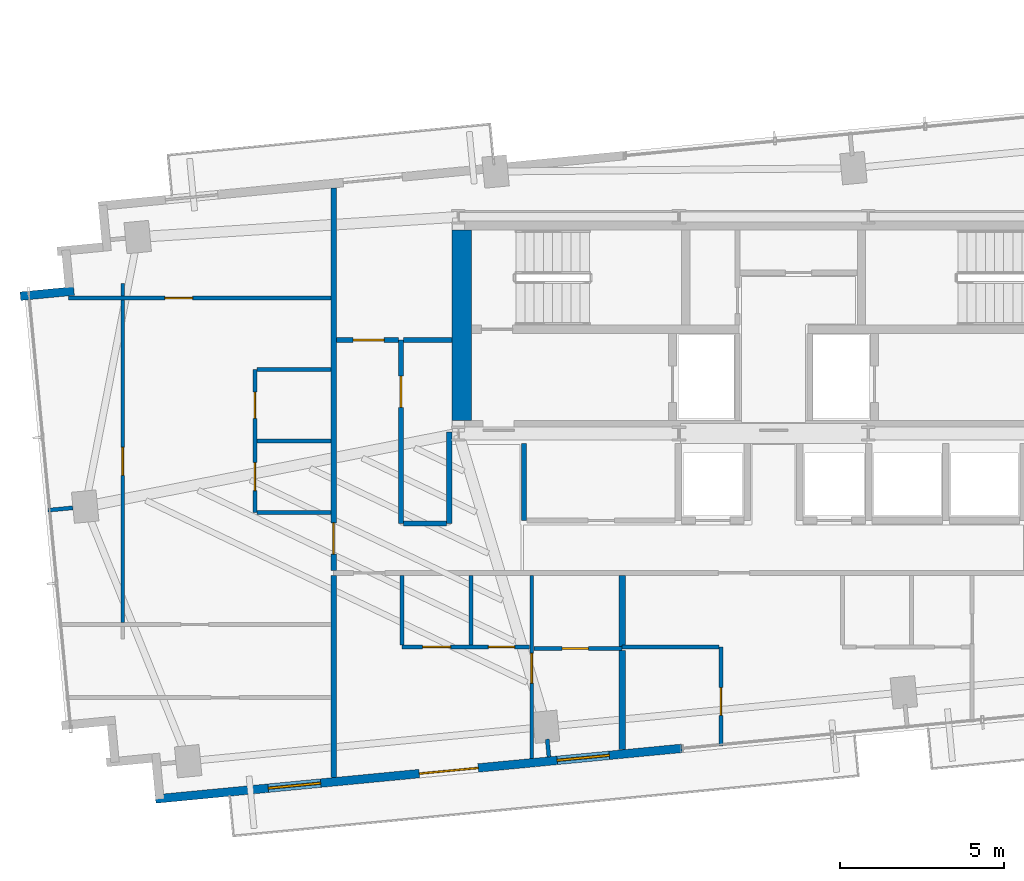
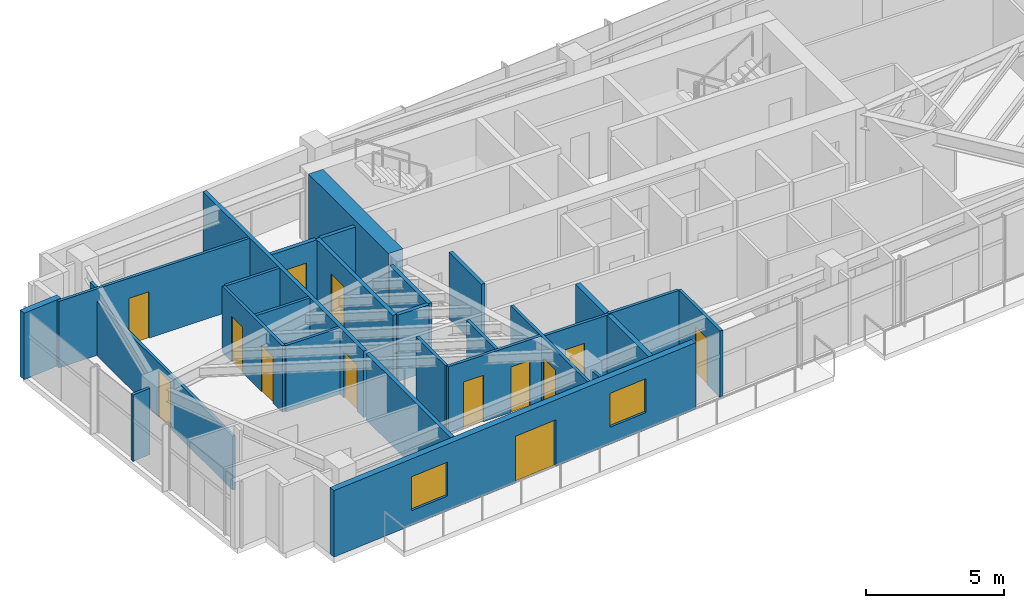
# One storey, part 13 of 18: 29 walls, 13 doors, 2 windows, 15 openings.
"""IFC4 building model written with IfcOpenShell, lengths in metres."""

from ifc_helpers import new_model, si_unit, direction, frame, frame_2d, origin, place, context, subcontext, project, spatial, rectangle, extrude, source, transform, mapped, material, layer, layer_set, type_object, type_shapes, element, fill, save


model = new_model("IFC4")

# Units and contexts
model_context = context("Model", 3, precision=1e-05, world=origin(), true_north=direction((0.0, 1.0)))
body_context = subcontext(model_context, "Body", "Model", "MODEL_VIEW")
ifc_project = project(units=[si_unit("LENGTHUNIT", "METRE"), si_unit("AREAUNIT", "SQUARE_METRE"), si_unit("VOLUMEUNIT", "CUBIC_METRE"), si_unit("PLANEANGLEUNIT", "RADIAN"), si_unit("MASSUNIT", "GRAM", prefix="KILO")], contexts=[model_context])

# Site, building, storey
site_placement = place(None, origin())
site = spatial("IfcSite", under=ifc_project, at=site_placement, CompositionType="ELEMENT")
building_placement = place(site_placement, origin())
building = spatial("IfcBuilding", under=site, at=building_placement, Name="Astriad Promenade Condominiums", CompositionType="ELEMENT")
storey_placement = place(building_placement, frame((0.0, 0.0, 173.0)))
storey = spatial("IfcBuildingStorey", under=building, at=storey_placement, Name="L49", CompositionType="ELEMENT", Elevation=173.0)

# Walls
ifc_material_1 = material(Name="Concrete C50/60", Category="concrete")
ifc_layer_1 = layer(ifc_material_1, 0.60009765625)
ifc_layer_set_1 = layer_set([ifc_layer_1], Name="Concrete C50/60")
wall_type_1 = type_object("IfcWallType", Name="CW-SHEAR-600", PredefinedType="SHEAR", material=ifc_layer_set_1)
wall_1_placement = place(storey_placement, frame((26.5, 17.802001953125, 0.0), z_axis=(0.0, 0.0, 1.0), x_axis=(0.0, 1.0, 0.0)))
element("IfcWall", 1, at=wall_1_placement, inside=storey, type_object=wall_type_1, Name="CW-CORE-W-L49", PredefinedType="SHEAR", context=body_context, shape_type="SweptSolid", body=[
    extrude(rectangle(XDim=5.7958984375, YDim=0.60009765625, at=frame_2d((2.89794921875, 0.0))), origin(), (0.0, 0.0, 1.0), 3.199951171875),
])
ifc_material_2 = material(Name="Fire-Rated Gypsum Partition")
ifc_layer_2 = layer(ifc_material_2, 0.159912109375)
ifc_layer_set_2 = layer_set([ifc_layer_2], Name="Fire-Rated Gypsum Partition")
wall_type_2 = type_object("IfcWallType", Name="WALL-CORR-160", PredefinedType="PARTITIONING", material=ifc_layer_set_2)
wall_2_placement = place(storey_placement, frame((28.39990234375, 14.75, 0.0), z_axis=(0.0, 0.0, 1.0), x_axis=(0.0, 1.0, 0.0)))
element("IfcWall", 2, at=wall_2_placement, inside=storey, type_object=wall_type_2, Name="REC-L-W-L49", PredefinedType="PARTITIONING", context=body_context, shape_type="SweptSolid", body=[
    extrude(rectangle(XDim=2.35009765625, YDim=0.159912109375, at=frame_2d((1.175048828125, 0.0))), origin(), (0.0, 0.0, 1.0), 2.93994140625),
])
wall_3_placement = place(storey_placement, frame((22.60009765625, 6.92236328125, 0.0), z_axis=(0.0, 0.0, 1.0), x_axis=(0.0, 1.0, 0.0)))
element("IfcWall", 3, at=wall_3_placement, inside=storey, type_object=wall_type_2, Name="PT-COR-W-L49", PredefinedType="PARTITIONING", context=body_context, shape_type="SweptSolid", body=[
    extrude(rectangle(XDim=6.145751953125, YDim=0.159912109375, at=frame_2d((3.07275390625, 0.0))), origin(), (0.0, 0.0, 1.0), 2.93994140625),
])

# Wall, opening, door
wall_4_placement = place(storey_placement, frame((22.60009765625, 13.23193359375, 0.0), z_axis=(0.0, 0.0, 1.0), x_axis=(0.0, 1.0, 0.0)))
wall_4 = element("IfcWall", 4, at=wall_4_placement, inside=storey, type_object=wall_type_2, Name="PT-COR-W-L49-S2", PredefinedType="PARTITIONING", context=body_context, shape_type="SweptSolid", body=[
    extrude(rectangle(XDim=11.64892578125, YDim=0.159912109375, at=frame_2d((5.824462890625, 0.0))), origin(), (0.0, 0.0, 1.0), 2.93994140625),
])
opening_1_placement = place(wall_4_placement, frame((0.492919921875, 0.0, 0.0)))
opening_1 = element("IfcOpeningElement", 5, at=opening_1_placement, cuts=wall_4, Name="Opening FD60-APT-095", PredefinedType="OPENING", context=body_context, shape_type="SweptSolid", body=[
    extrude(rectangle(XDim=0.949951171875, YDim=2.06005859375, at=frame_2d((0.47509765625, 1.030029296875))), frame((0.0, 0.08984375, 0.0), z_axis=(0.0, -1.0, 0.0), x_axis=(1.0, 0.0, 0.0)), (0.0, 0.0, 1.0), 0.179931640625),
])
ifc_material_3 = material(Name="Solid-Core Acoustic Timber Residence Entry Door", Category="wood")
door_type_1 = type_object("IfcDoorType", Name="FD60-APT-095", OperationType="NOTDEFINED", PredefinedType="DOOR", material=ifc_material_3)
shared_shape_1 = source(origin(), body_context, "Body", "SweptSolid", [
    extrude(rectangle(XDim=0.949951171875, YDim=2.06005859375, at=frame_2d((0.47509765625, 1.030029296875))), frame((0.0, 0.02490234375, 0.0), z_axis=(0.0, -1.0, 0.0), x_axis=(1.0, 0.0, 0.0)), (0.0, 0.0, 1.0), 0.050048828125),
])
type_shapes(door_type_1, [shared_shape_1])
door_1_placement = place(opening_1_placement, origin())
door_1 = element("IfcDoor", 6, at=door_1_placement, inside=storey, type_object=door_type_1, Name="D-ENT-L49-W1", OperationType="SINGLE_SWING_LEFT", OverallHeight=2.06005859375, OverallWidth=0.949951171875, PredefinedType="DOOR", context=body_context, shape_type="MappedRepresentation", body=[
    mapped(shared_shape_1, transform((0.0, 0.0, 0.0), scale=1.0)),
])
fill(opening_1, door_1)

wall_5_placement = place(storey_placement, frame((24.64990234375, 14.659912109375, 0.0), z_axis=(0.0, 0.0, 1.0), x_axis=(0.0, 1.0, 0.0)))
wall_5 = element("IfcWall", 7, at=wall_5_placement, inside=storey, type_object=wall_type_2, Name="PT-HK-E-L49", PredefinedType="PARTITIONING", context=body_context, shape_type="SweptSolid", body=[
    extrude(rectangle(XDim=5.590087890625, YDim=0.159912109375, at=frame_2d((2.794921875, 0.0))), origin(), (0.0, 0.0, 1.0), 2.93994140625),
])
opening_2_placement = place(wall_5_placement, frame((3.5400390625, 0.0, 0.0)))
opening_2 = element("IfcOpeningElement", 8, at=opening_2_placement, cuts=wall_5, Name="Opening FD60-APT-095", PredefinedType="OPENING", context=body_context, shape_type="SweptSolid", body=[
    extrude(rectangle(XDim=0.949951171875, YDim=2.06005859375, at=frame_2d((0.47509765625, 1.030029296875))), frame((0.0, 0.08984375, 0.0), z_axis=(0.0, -1.0, 0.0), x_axis=(1.0, 0.0, 0.0)), (0.0, 0.0, 1.0), 0.179931640625),
])
door_2_placement = place(opening_2_placement, origin())
door_2 = element("IfcDoor", 9, at=door_2_placement, inside=storey, type_object=door_type_1, Name="D-HKA-L49", OperationType="SINGLE_SWING_LEFT", OverallHeight=2.06005859375, OverallWidth=0.949951171875, PredefinedType="DOOR", context=body_context, shape_type="MappedRepresentation", body=[
    mapped(shared_shape_1, transform((0.0, 0.0, 0.0), scale=1.0)),
])
fill(opening_2, door_2)

wall_6_placement = place(storey_placement, frame((22.681884765625, 20.25, 0.0), z_axis=(0.0, 0.0, 1.0), x_axis=(1.0, 0.0, 0.0)))
wall_6 = element("IfcWall", 10, at=wall_6_placement, inside=storey, type_object=wall_type_2, Name="PT-HK-N-L49", PredefinedType="PARTITIONING", context=body_context, shape_type="SweptSolid", body=[
    extrude(rectangle(XDim=1.88623046875, YDim=0.159912109375, at=frame_2d((0.943115234375, 0.0))), origin(), (0.0, 0.0, 1.0), 2.93994140625),
])
opening_3_placement = place(wall_6_placement, frame((0.508056640625, 0.0, 0.0)))
opening_3 = element("IfcOpeningElement", 11, at=opening_3_placement, cuts=wall_6, Name="Opening FD60-APT-095", PredefinedType="OPENING", context=body_context, shape_type="SweptSolid", body=[
    extrude(rectangle(XDim=0.949951171875, YDim=2.06005859375, at=frame_2d((0.47509765625, 1.030029296875))), frame((0.0, 0.08984375, 0.0), z_axis=(0.0, -1.0, 0.0), x_axis=(1.0, 0.0, 0.0)), (0.0, 0.0, 1.0), 0.179931640625),
])
door_3_placement = place(opening_3_placement, origin())
door_3 = element("IfcDoor", 12, at=door_3_placement, inside=storey, type_object=door_type_1, Name="D-HKB-L49", OperationType="SINGLE_SWING_RIGHT", OverallHeight=2.06005859375, OverallWidth=0.949951171875, PredefinedType="DOOR", context=body_context, shape_type="MappedRepresentation", body=[
    mapped(shared_shape_1, transform((0.0, 0.0, 0.0), scale=1.0)),
])
fill(opening_3, door_3)

# Walls
wall_7_placement = place(storey_placement, frame((24.73193359375, 20.25, 0.0), z_axis=(0.0, 0.0, 1.0), x_axis=(1.0, 0.0, 0.0)))
element("IfcWall", 13, at=wall_7_placement, inside=storey, type_object=wall_type_2, Name="PT-HK-N-L49-S2", PredefinedType="PARTITIONING", context=body_context, shape_type="SweptSolid", body=[
    extrude(rectangle(XDim=1.466064453125, YDim=0.159912109375, at=frame_2d((0.73291015625, 0.0))), origin(), (0.0, 0.0, 1.0), 2.93994140625),
])
wall_8_placement = place(storey_placement, frame((26.1201171875, 14.659912109375, 0.0), z_axis=(0.0, 0.0, 1.0), x_axis=(0.0, 1.0, 0.0)))
element("IfcWall", 14, at=wall_8_placement, inside=storey, type_object=wall_type_2, Name="PT-WSPUR-W-L49", PredefinedType="PARTITIONING", context=body_context, shape_type="SweptSolid", body=[
    extrude(rectangle(XDim=2.7900390625, YDim=0.159912109375, at=frame_2d((1.39501953125, 0.0))), origin(), (0.0, 0.0, 1.0), 2.93994140625),
])
wall_9_placement = place(storey_placement, frame((24.73193359375, 14.659912109375, 0.0), z_axis=(0.0, 0.0, 1.0), x_axis=(1.0, 0.0, 0.0)))
element("IfcWall", 15, at=wall_9_placement, inside=storey, type_object=wall_type_2, Name="PT-HK-S-L49", PredefinedType="PARTITIONING", context=body_context, shape_type="SweptSolid", body=[
    extrude(rectangle(XDim=1.30615234375, YDim=0.159912109375, at=frame_2d((0.653076171875, 0.0))), origin(), (0.0, 0.0, 1.0), 2.93994140625),
])
ifc_material_4 = material(Name="Acoustic Double-Stud Gypsum Partition")
ifc_layer_3 = layer(ifc_material_4, 0.199951171875)
ifc_layer_set_3 = layer_set([ifc_layer_3], Name="Acoustic Double-Stud Gypsum Partition")
wall_type_3 = type_object("IfcWallType", Name="WALL-DEMISING-200", PredefinedType="PARTITIONING", material=ifc_layer_set_3)
wall_10_placement = place(storey_placement, frame((31.384033203125, 7.76806640625, 0.0), z_axis=(0.0, 0.0, 1.0), x_axis=(0.0, 1.0, 0.0)))
element("IfcWall", 16, at=wall_10_placement, inside=storey, type_object=wall_type_3, Name="PT-DEM-S1-L49", PredefinedType="PARTITIONING", context=body_context, shape_type="SweptSolid", body=[
    extrude(rectangle(XDim=3.02001953125, YDim=0.199951171875, at=frame_2d((1.510009765625, 0.0))), origin(), (0.0, 0.0, 1.0), 2.93994140625),
])
wall_11_placement = place(storey_placement, frame((31.384033203125, 10.912109375, 0.0), z_axis=(0.0, 0.0, 1.0), x_axis=(0.0, 1.0, 0.0)))
element("IfcWall", 17, at=wall_11_placement, inside=storey, type_object=wall_type_3, Name="PT-DEM-S1-L49-S2", PredefinedType="PARTITIONING", context=body_context, shape_type="SweptSolid", body=[
    extrude(rectangle(XDim=2.156005859375, YDim=0.199951171875, at=frame_2d((1.078125, 0.0))), origin(), (0.0, 0.0, 1.0), 2.93994140625),
])
ifc_material_5 = material(Name="Precast concrete C50/60", Category="concrete")
ifc_layer_4 = layer(ifc_material_5, 0.260009765625)
ifc_layer_set_4 = layer_set([ifc_layer_4], Name="Precast concrete C50/60")
wall_type_4 = type_object("IfcWallType", Name="WALL-EXT-TWR-260", PredefinedType="STANDARD", material=ifc_layer_set_4)
wall_12_placement = place(storey_placement, frame((13.058349609375, 21.583251953125, 0.0), z_axis=(0.0, 0.0, 1.0), x_axis=(0.995394563142, 0.095862733462, 0.0)))
element("IfcWall", 18, at=wall_12_placement, inside=storey, type_object=wall_type_4, Name="W-SER-L49-04", PredefinedType="STANDARD", context=body_context, shape_type="SweptSolid", body=[
    extrude(rectangle(XDim=1.64013671875, YDim=0.260009765625, at=frame_2d((0.820068359375, 0.0))), origin(), (0.0, 0.0, 1.0), 2.93994140625),
])

# Wall, openings, door, windows
wall_13_placement = place(storey_placement, frame((33.201171875, 7.810302734375, 0.0), z_axis=(0.0, 0.0, 1.0), x_axis=(-0.995397074604, -0.095836652014, 0.0)))
wall_13 = element("IfcWall", 19, at=wall_13_placement, inside=storey, type_object=wall_type_4, Name="W-EXT-L49-S2", PredefinedType="STANDARD", context=body_context, shape_type="SweptSolid", body=[
    extrude(rectangle(XDim=16.10009765625, YDim=0.260009765625, at=frame_2d((8.050048828125, 0.0))), origin(), (0.0, 0.0, 1.0), 2.93994140625),
])
opening_4_placement = place(wall_13_placement, frame((6.22998046875, 0.0, 0.0)))
opening_4 = element("IfcOpeningElement", 20, at=opening_4_placement, cuts=wall_13, Name="Opening BD-1822-SLD", PredefinedType="OPENING", context=body_context, shape_type="SweptSolid", body=[
    extrude(rectangle(XDim=1.800048828125, YDim=2.06005859375, at=frame_2d((0.89990234375, 1.030029296875))), frame((0.0, 0.139892578125, 0.0), z_axis=(0.0, -1.0, 0.0), x_axis=(1.0, 0.0, 0.0)), (0.0, 0.0, 1.0), 0.280029296875),
])
opening_5_placement = place(wall_13_placement, frame((11.050048828125, 0.0, 0.64990234375)))
opening_5 = element("IfcOpeningElement", 21, at=opening_5_placement, cuts=wall_13, Name="Opening WIN-TWR-1620", PredefinedType="OPENING", context=body_context, shape_type="SweptSolid", body=[
    extrude(rectangle(XDim=1.60009765625, YDim=1.5, at=frame_2d((0.800048828125, 0.75))), frame((0.0, 0.139892578125, 0.0), z_axis=(0.0, -1.0, 0.0), x_axis=(1.0, 0.0, 0.0)), (0.0, 0.0, 1.0), 0.280029296875),
])
opening_6_placement = place(wall_13_placement, frame((2.212890625, 0.0, 0.75)))
opening_6 = element("IfcOpeningElement", 22, at=opening_6_placement, cuts=wall_13, Name="Opening WIN-TWR-1620", PredefinedType="OPENING", context=body_context, shape_type="SweptSolid", body=[
    extrude(rectangle(XDim=1.60009765625, YDim=1.5, at=frame_2d((0.800048828125, 0.75))), frame((0.0, 0.139892578125, 0.0), z_axis=(0.0, -1.0, 0.0), x_axis=(1.0, 0.0, 0.0)), (0.0, 0.0, 1.0), 0.280029296875),
])
ifc_material_6 = material(Name="Thermally Broken Aluminium Sliding Balcony Door", Category="aluminium")
door_type_2 = type_object("IfcDoorType", Name="BD-1822-SLD", OperationType="NOTDEFINED", PredefinedType="DOOR", material=ifc_material_6)
shared_shape_2 = source(origin(), body_context, "Body", "SweptSolid", [
    extrude(rectangle(XDim=1.800048828125, YDim=2.06005859375, at=frame_2d((0.89990234375, 1.030029296875))), frame((0.0, 0.02490234375, 0.0), z_axis=(0.0, -1.0, 0.0), x_axis=(1.0, 0.0, 0.0)), (0.0, 0.0, 1.0), 0.050048828125),
])
type_shapes(door_type_2, [shared_shape_2])
door_4_placement = place(opening_4_placement, origin())
door_4 = element("IfcDoor", 23, at=door_4_placement, inside=storey, type_object=door_type_2, Name="BD-L49-SW", OperationType="SLIDING_TO_LEFT", OverallHeight=2.06005859375, OverallWidth=1.800048828125, PredefinedType="DOOR", context=body_context, shape_type="MappedRepresentation", body=[
    mapped(shared_shape_2, transform((0.0, 0.0, 0.0), scale=1.0)),
])
fill(opening_4, door_4)
ifc_material_7 = material(Name="Dark Tinted Triple-Glazed Aluminium Window", Category="aluminium")
window_type = type_object("IfcWindowType", Name="WIN-TWR-1620", PartitioningType="SINGLE_PANEL", PredefinedType="WINDOW", material=ifc_material_7)
shared_shape_3 = source(origin(), body_context, "Body", "SweptSolid", [
    extrude(rectangle(XDim=1.60009765625, YDim=1.5, at=frame_2d((0.800048828125, 0.75))), frame((0.0, 0.030029296875, 0.0), z_axis=(0.0, -1.0, 0.0), x_axis=(1.0, 0.0, 0.0)), (0.0, 0.0, 1.0), 0.06005859375),
])
type_shapes(window_type, [shared_shape_3])
window_1_placement = place(opening_5_placement, origin())
window_1 = element("IfcWindow", 24, at=window_1_placement, inside=storey, type_object=window_type, Name="WIN-L49-SW", OverallHeight=1.5, OverallWidth=1.60009765625, PartitioningType="SINGLE_PANEL", PredefinedType="WINDOW", context=body_context, shape_type="MappedRepresentation", body=[
    mapped(shared_shape_3, transform((0.0, 0.0, 0.0), scale=1.0)),
])
fill(opening_5, window_1)
window_2_placement = place(opening_6_placement, origin())
window_2 = element("IfcWindow", 25, at=window_2_placement, inside=storey, type_object=window_type, Name="WIN-DW-L49-S1-BD1", OverallHeight=1.5, OverallWidth=1.60009765625, PartitioningType="SINGLE_PANEL", PredefinedType="WINDOW", context=body_context, shape_type="MappedRepresentation", body=[
    mapped(shared_shape_3, transform((0.0, 0.0, 0.0), scale=1.0)),
])
fill(opening_6, window_2)

# Wall, opening, door
ifc_material_8 = material(Name="Acoustic Metal-Stud Gypsum Partition")
ifc_layer_5 = layer(ifc_material_8, 0.1201171875)
ifc_layer_set_5 = layer_set([ifc_layer_5], Name="Acoustic Metal-Stud Gypsum Partition")
wall_type_5 = type_object("IfcWallType", Name="WALL-PART-120", PredefinedType="PARTITIONING", material=ifc_layer_set_5)
wall_14_placement = place(storey_placement, frame((28.634033203125, 7.50341796875, 0.0), z_axis=(0.0, 0.0, 1.0), x_axis=(0.0, 1.0, 0.0)))
wall_14 = element("IfcWall", 26, at=wall_14_placement, inside=storey, type_object=wall_type_5, Name="PT-L49-S1-BD1", PredefinedType="PARTITIONING", context=body_context, shape_type="SweptSolid", body=[
    extrude(rectangle(XDim=5.564697265625, YDim=0.1201171875, at=frame_2d((2.7822265625, 0.0))), origin(), (0.0, 0.0, 1.0), 2.93994140625),
])
opening_7_placement = place(wall_14_placement, frame((2.296630859375, 0.0, 0.0)))
opening_7 = element("IfcOpeningElement", 27, at=opening_7_placement, cuts=wall_14, Name="Opening D-INT-090", PredefinedType="OPENING", context=body_context, shape_type="SweptSolid", body=[
    extrude(rectangle(XDim=0.89990234375, YDim=2.050048828125, at=frame_2d((0.449951171875, 1.02490234375))), frame((0.0, 0.070068359375, 0.0), z_axis=(0.0, -1.0, 0.0), x_axis=(1.0, 0.0, 0.0)), (0.0, 0.0, 1.0), 0.14013671875),
])
ifc_material_9 = material(Name="Painted Solid-Core Timber Bedroom Door", Category="wood")
door_type_3 = type_object("IfcDoorType", Name="D-INT-090", OperationType="NOTDEFINED", PredefinedType="DOOR", material=ifc_material_9)
shared_shape_4 = source(origin(), body_context, "Body", "SweptSolid", [
    extrude(rectangle(XDim=0.89990234375, YDim=2.050048828125, at=frame_2d((0.449951171875, 1.02490234375))), frame((0.0, 0.02490234375, 0.0), z_axis=(0.0, -1.0, 0.0), x_axis=(1.0, 0.0, 0.0)), (0.0, 0.0, 1.0), 0.050048828125),
])
type_shapes(door_type_3, [shared_shape_4])
door_5_placement = place(opening_7_placement, origin())
door_5 = element("IfcDoor", 28, at=door_5_placement, inside=storey, type_object=door_type_3, Name="D-BD1-L49-S1", OperationType="SINGLE_SWING_LEFT", OverallHeight=2.050048828125, OverallWidth=0.89990234375, PredefinedType="DOOR", context=body_context, shape_type="MappedRepresentation", body=[
    mapped(shared_shape_4, transform((0.0, 0.0, 0.0), scale=1.0)),
])
fill(opening_7, door_5)

# Wall, openings, doors
wall_15_placement = place(storey_placement, frame((24.68408203125, 10.89990234375, 0.0), z_axis=(0.0, 0.0, 1.0), x_axis=(1.0, 0.0, 0.0)))
wall_15 = element("IfcWall", 29, at=wall_15_placement, inside=storey, type_object=wall_type_5, Name="PT-L49-S1-PS", PredefinedType="PARTITIONING", context=body_context, shape_type="SweptSolid", body=[
    extrude(rectangle(XDim=3.887939453125, YDim=0.1201171875, at=frame_2d((1.94384765625, 0.0))), origin(), (0.0, 0.0, 1.0), 2.93994140625),
])
opening_8_placement = place(wall_15_placement, frame((0.625, 0.0, 0.0)))
opening_8 = element("IfcOpeningElement", 30, at=opening_8_placement, cuts=wall_15, Name="Opening D-INT-085", PredefinedType="OPENING", context=body_context, shape_type="SweptSolid", body=[
    extrude(rectangle(XDim=0.85009765625, YDim=2.050048828125, at=frame_2d((0.425048828125, 1.02490234375))), frame((0.0, 0.070068359375, 0.0), z_axis=(0.0, -1.0, 0.0), x_axis=(1.0, 0.0, 0.0)), (0.0, 0.0, 1.0), 0.14013671875),
])
opening_9_placement = place(wall_15_placement, frame((2.625, 0.0, 0.0)))
opening_9 = element("IfcOpeningElement", 31, at=opening_9_placement, cuts=wall_15, Name="Opening D-WET-080", PredefinedType="OPENING", context=body_context, shape_type="SweptSolid", body=[
    extrude(rectangle(XDim=0.800048828125, YDim=2.02001953125, at=frame_2d((0.39990234375, 1.010009765625))), frame((0.0, 0.070068359375, 0.0), z_axis=(0.0, -1.0, 0.0), x_axis=(1.0, 0.0, 0.0)), (0.0, 0.0, 1.0), 0.14013671875),
])
ifc_material_10 = material(Name="Moisture-Resistant Timber Bathroom Door", Category="wood")
door_type_4 = type_object("IfcDoorType", Name="D-WET-080", OperationType="NOTDEFINED", PredefinedType="DOOR", material=ifc_material_10)
shared_shape_5 = source(origin(), body_context, "Body", "SweptSolid", [
    extrude(rectangle(XDim=0.800048828125, YDim=2.02001953125, at=frame_2d((0.39990234375, 1.010009765625))), frame((0.0, 0.02490234375, 0.0), z_axis=(0.0, -1.0, 0.0), x_axis=(1.0, 0.0, 0.0)), (0.0, 0.0, 1.0), 0.050048828125),
])
type_shapes(door_type_4, [shared_shape_5])
door_6_placement = place(opening_9_placement, origin())
door_6 = element("IfcDoor", 32, at=door_6_placement, inside=storey, type_object=door_type_4, Name="D-BTH-L49-S1", OperationType="SINGLE_SWING_LEFT", OverallHeight=2.02001953125, OverallWidth=0.800048828125, PredefinedType="DOOR", context=body_context, shape_type="MappedRepresentation", body=[
    mapped(shared_shape_5, transform((0.0, 0.0, 0.0), scale=1.0)),
])
fill(opening_9, door_6)
ifc_material_11 = material(Name="Painted Solid-Core Timber Room Door", Category="wood")
door_type_5 = type_object("IfcDoorType", Name="D-INT-085", OperationType="NOTDEFINED", PredefinedType="DOOR", material=ifc_material_11)
shared_shape_6 = source(origin(), body_context, "Body", "SweptSolid", [
    extrude(rectangle(XDim=0.85009765625, YDim=2.050048828125, at=frame_2d((0.425048828125, 1.02490234375))), frame((0.0, 0.02490234375, 0.0), z_axis=(0.0, -1.0, 0.0), x_axis=(1.0, 0.0, 0.0)), (0.0, 0.0, 1.0), 0.050048828125),
])
type_shapes(door_type_5, [shared_shape_6])
door_7_placement = place(opening_8_placement, origin())
door_7 = element("IfcDoor", 33, at=door_7_placement, inside=storey, type_object=door_type_5, Name="D-KIT-L49-S1", OperationType="SINGLE_SWING_RIGHT", OverallHeight=2.050048828125, OverallWidth=0.85009765625, PredefinedType="DOOR", context=body_context, shape_type="MappedRepresentation", body=[
    mapped(shared_shape_6, transform((0.0, 0.0, 0.0), scale=1.0)),
])
fill(opening_8, door_7)

# Walls
for number, where, z_axis, x_axis, name in (
    (34, (26.783935546875, 10.9619140625, 0.0), (0.0, 0.0, 1.0), (0.0, 1.0, 0.0), "PT-L49-S1-PBK"),
    (35, (24.68408203125, 10.9619140625, 0.0), (0.0, 0.0, 1.0), (0.0, 1.0, 0.0), "PT-L49-S1-PKW"),
):
    element("IfcWall", number, at=place(storey_placement, frame(where, z_axis=z_axis, x_axis=x_axis)), inside=storey, type_object=wall_type_5, Name=name, PredefinedType="PARTITIONING", context=body_context, shape_type="SweptSolid", body=[
        extrude(rectangle(XDim=2.106201171875, YDim=0.1201171875, at=frame_2d((1.05322265625, 0.0))), origin(), (0.0, 0.0, 1.0), 2.93994140625),
    ])

# Wall, opening, door
wall_16_placement = place(storey_placement, frame((28.696044921875, 10.85009765625, 0.0), z_axis=(0.0, 0.0, 1.0), x_axis=(1.0, 0.0, 0.0)))
wall_16 = element("IfcWall", 36, at=wall_16_placement, inside=storey, type_object=wall_type_5, Name="PT-L49-S1-ENS", PredefinedType="PARTITIONING", context=body_context, shape_type="SweptSolid", body=[
    extrude(rectangle(XDim=2.68798828125, YDim=0.1201171875, at=frame_2d((1.343994140625, 0.0))), origin(), (0.0, 0.0, 1.0), 2.93994140625),
])
opening_10_placement = place(wall_16_placement, frame((0.863037109375, 0.0, 0.0)))
opening_10 = element("IfcOpeningElement", 37, at=opening_10_placement, cuts=wall_16, Name="Opening D-WET-080", PredefinedType="OPENING", context=body_context, shape_type="SweptSolid", body=[
    extrude(rectangle(XDim=0.800048828125, YDim=2.02001953125, at=frame_2d((0.39990234375, 1.010009765625))), frame((0.0, 0.070068359375, 0.0), z_axis=(0.0, -1.0, 0.0), x_axis=(1.0, 0.0, 0.0)), (0.0, 0.0, 1.0), 0.14013671875),
])
door_8_placement = place(opening_10_placement, origin())
door_8 = element("IfcDoor", 38, at=door_8_placement, inside=storey, type_object=door_type_4, Name="D-ENS-L49-S1", OperationType="SINGLE_SWING_LEFT", OverallHeight=2.02001953125, OverallWidth=0.800048828125, PredefinedType="DOOR", context=body_context, shape_type="MappedRepresentation", body=[
    mapped(shared_shape_5, transform((0.0, 0.0, 0.0), scale=1.0)),
])
fill(opening_10, door_8)

wall_17_placement = place(storey_placement, frame((34.39501953125, 7.875, 0.0), z_axis=(0.0, 0.0, 1.0), x_axis=(0.0, 1.0, 0.0)))
wall_17 = element("IfcWall", 39, at=wall_17_placement, inside=storey, type_object=wall_type_5, Name="PT-L49-S2-EXV", PredefinedType="PARTITIONING", context=body_context, shape_type="SweptSolid", body=[
    extrude(rectangle(XDim=3.02490234375, YDim=0.1201171875, at=frame_2d((1.512451171875, 0.0))), origin(), (0.0, 0.0, 1.0), 2.93994140625),
])
opening_11_placement = place(wall_17_placement, frame((0.93701171875, 0.0, 0.0)))
opening_11 = element("IfcOpeningElement", 40, at=opening_11_placement, cuts=wall_17, Name="Opening D-INT-085", PredefinedType="OPENING", context=body_context, shape_type="SweptSolid", body=[
    extrude(rectangle(XDim=0.85009765625, YDim=2.050048828125, at=frame_2d((0.425048828125, 1.02490234375))), frame((0.0, 0.070068359375, 0.0), z_axis=(0.0, -1.0, 0.0), x_axis=(1.0, 0.0, 0.0)), (0.0, 0.0, 1.0), 0.14013671875),
])
door_9_placement = place(opening_11_placement, origin())
door_9 = element("IfcDoor", 41, at=door_9_placement, inside=storey, type_object=door_type_5, Name="D-EX-L49-S2", OperationType="SINGLE_SWING_RIGHT", OverallHeight=2.050048828125, OverallWidth=0.85009765625, PredefinedType="DOOR", context=body_context, shape_type="MappedRepresentation", body=[
    mapped(shared_shape_6, transform((0.0, 0.0, 0.0), scale=1.0)),
])
fill(opening_11, door_9)

# Wall
wall_18_placement = place(storey_placement, frame((31.384033203125, 10.89990234375, 0.0), z_axis=(0.0, 0.0, 1.0), x_axis=(1.0, 0.0, 0.0)))
element("IfcWall", 42, at=wall_18_placement, inside=storey, type_object=wall_type_5, Name="PT-L49-S2-EXH", PredefinedType="PARTITIONING", context=body_context, shape_type="SweptSolid", body=[
    extrude(rectangle(XDim=2.948974609375, YDim=0.1201171875, at=frame_2d((1.474609375, 0.0))), origin(), (0.0, 0.0, 1.0), 2.93994140625),
])

# Wall, openings, doors
wall_19_placement = place(storey_placement, frame((20.199951171875, 15.0, 0.0), z_axis=(0.0, 0.0, 1.0), x_axis=(0.0, 1.0, 0.0)))
wall_19 = element("IfcWall", 43, at=wall_19_placement, inside=storey, type_object=wall_type_5, Name="PT-L49-W1-PV", PredefinedType="PARTITIONING", context=body_context, shape_type="SweptSolid", body=[
    extrude(rectangle(XDim=4.35009765625, YDim=0.1201171875, at=frame_2d((2.175048828125, 0.0))), origin(), (0.0, 0.0, 1.0), 2.93994140625),
])
opening_12_placement = place(wall_19_placement, frame((0.662109375, 0.0, 0.0)))
opening_12 = element("IfcOpeningElement", 44, at=opening_12_placement, cuts=wall_19, Name="Opening D-INT-085", PredefinedType="OPENING", context=body_context, shape_type="SweptSolid", body=[
    extrude(rectangle(XDim=0.85009765625, YDim=2.050048828125, at=frame_2d((0.425048828125, 1.02490234375))), frame((0.0, 0.070068359375, 0.0), z_axis=(0.0, -1.0, 0.0), x_axis=(1.0, 0.0, 0.0)), (0.0, 0.0, 1.0), 0.14013671875),
])
opening_13_placement = place(wall_19_placement, frame((2.863037109375, 0.0, 0.0)))
opening_13 = element("IfcOpeningElement", 45, at=opening_13_placement, cuts=wall_19, Name="Opening D-WET-080", PredefinedType="OPENING", context=body_context, shape_type="SweptSolid", body=[
    extrude(rectangle(XDim=0.800048828125, YDim=2.02001953125, at=frame_2d((0.39990234375, 1.010009765625))), frame((0.0, 0.070068359375, 0.0), z_axis=(0.0, -1.0, 0.0), x_axis=(1.0, 0.0, 0.0)), (0.0, 0.0, 1.0), 0.14013671875),
])
door_10_placement = place(opening_13_placement, origin())
door_10 = element("IfcDoor", 46, at=door_10_placement, inside=storey, type_object=door_type_4, Name="D-BTH-L49-W1", OperationType="SINGLE_SWING_LEFT", OverallHeight=2.02001953125, OverallWidth=0.800048828125, PredefinedType="DOOR", context=body_context, shape_type="MappedRepresentation", body=[
    mapped(shared_shape_5, transform((0.0, 0.0, 0.0), scale=1.0)),
])
fill(opening_13, door_10)
door_11_placement = place(opening_12_placement, origin())
door_11 = element("IfcDoor", 47, at=door_11_placement, inside=storey, type_object=door_type_5, Name="D-KIT-L49-W1", OperationType="SINGLE_SWING_RIGHT", OverallHeight=2.050048828125, OverallWidth=0.85009765625, PredefinedType="DOOR", context=body_context, shape_type="MappedRepresentation", body=[
    mapped(shared_shape_6, transform((0.0, 0.0, 0.0), scale=1.0)),
])
fill(opening_12, door_11)

# Walls
for number, where, z_axis, x_axis, name in (
    (48, (20.261962890625, 17.175048828125, 0.0), (0.0, 0.0, 1.0), (1.0, 0.0, 0.0), "PT-L49-W1-PM"),
    (49, (20.261962890625, 15.0, 0.0), (0.0, 0.0, 1.0), (1.0, 0.0, 0.0), "PT-L49-W1-PS"),
    (50, (20.261962890625, 19.35009765625, 0.0), (0.0, 0.0, 1.0), (1.0, 0.0, 0.0), "PT-L49-W1-PN"),
):
    element("IfcWall", number, at=place(storey_placement, frame(where, z_axis=z_axis, x_axis=x_axis)), inside=storey, type_object=wall_type_5, Name=name, PredefinedType="PARTITIONING", context=body_context, shape_type="SweptSolid", body=[
        extrude(rectangle(XDim=2.256103515625, YDim=0.1201171875, at=frame_2d((1.1279296875, 0.0))), origin(), (0.0, 0.0, 1.0), 2.93994140625),
    ])

# Wall, opening, door
wall_20_placement = place(storey_placement, frame((14.530029296875, 21.52587890625, 0.0), z_axis=(0.0, 0.0, 1.0), x_axis=(1.0, 0.0, 0.0)))
wall_20 = element("IfcWall", 51, at=wall_20_placement, inside=storey, type_object=wall_type_5, Name="PT-L49-W1-B1", PredefinedType="PARTITIONING", context=body_context, shape_type="SweptSolid", body=[
    extrude(rectangle(XDim=7.988037109375, YDim=0.1201171875, at=frame_2d((3.994140625, 0.0))), origin(), (0.0, 0.0, 1.0), 2.93994140625),
])
opening_14_placement = place(wall_20_placement, frame((2.925048828125, 0.0, 0.0)))
opening_14 = element("IfcOpeningElement", 52, at=opening_14_placement, cuts=wall_20, Name="Opening D-INT-085", PredefinedType="OPENING", context=body_context, shape_type="SweptSolid", body=[
    extrude(rectangle(XDim=0.85009765625, YDim=2.050048828125, at=frame_2d((0.425048828125, 1.02490234375))), frame((0.0, 0.070068359375, 0.0), z_axis=(0.0, -1.0, 0.0), x_axis=(1.0, 0.0, 0.0)), (0.0, 0.0, 1.0), 0.14013671875),
])
door_12_placement = place(opening_14_placement, origin())
door_12 = element("IfcDoor", 53, at=door_12_placement, inside=storey, type_object=door_type_5, Name="D-BD1-L49-W1", OperationType="SINGLE_SWING_RIGHT", OverallHeight=2.050048828125, OverallWidth=0.85009765625, PredefinedType="DOOR", context=body_context, shape_type="MappedRepresentation", body=[
    mapped(shared_shape_6, transform((0.0, 0.0, 0.0), scale=1.0)),
])
fill(opening_14, door_12)

wall_21_placement = place(storey_placement, frame((16.175048828125, 11.639892578125, 0.0), z_axis=(0.0, 0.0, 1.0), x_axis=(0.0, 1.0, 0.0)))
wall_21 = element("IfcWall", 54, at=wall_21_placement, inside=storey, type_object=wall_type_5, Name="PT-L49-W1-WDV2-S2", PredefinedType="PARTITIONING", context=body_context, shape_type="SweptSolid", body=[
    extrude(rectangle(XDim=9.82421875, YDim=0.1201171875, at=frame_2d((4.912109375, 0.0))), origin(), (0.0, 0.0, 1.0), 2.382568359375),
])
opening_15_placement = place(wall_21_placement, frame((4.487060546875, 0.0, 0.0)))
opening_15 = element("IfcOpeningElement", 55, at=opening_15_placement, cuts=wall_21, Name="Opening D-INT-085", PredefinedType="OPENING", context=body_context, shape_type="SweptSolid", body=[
    extrude(rectangle(XDim=0.85009765625, YDim=2.050048828125, at=frame_2d((0.425048828125, 1.02490234375))), frame((0.0, 0.070068359375, 0.0), z_axis=(0.0, -1.0, 0.0), x_axis=(1.0, 0.0, 0.0)), (0.0, 0.0, 1.0), 0.14013671875),
])
door_13_placement = place(opening_15_placement, origin())
door_13 = element("IfcDoor", 56, at=door_13_placement, inside=storey, type_object=door_type_5, Name="D-WDV2-L49-W1", OperationType="SINGLE_SWING_LEFT", OverallHeight=2.050048828125, OverallWidth=0.85009765625, PredefinedType="DOOR", context=body_context, shape_type="MappedRepresentation", body=[
    mapped(shared_shape_6, transform((0.0, 0.0, 0.0), scale=1.0)),
])
fill(opening_15, door_13)

# Walls
wall_22_placement = place(storey_placement, frame((16.175048828125, 21.587890625, 0.0), z_axis=(0.0, 0.0, 1.0), x_axis=(0.0, 1.0, 0.0)))
element("IfcWall", 57, at=wall_22_placement, inside=storey, type_object=wall_type_5, Name="PT-L49-W1-WDV2-S3", PredefinedType="PARTITIONING", context=body_context, shape_type="SweptSolid", body=[
    extrude(rectangle(XDim=0.378173828125, YDim=0.1201171875, at=frame_2d((0.18896484375, 0.0))), origin(), (0.0, 0.0, 1.0), 2.93994140625),
])
wall_23_placement = place(storey_placement, frame((29.10546875, 8.089111328125, 0.0), z_axis=(0.0, 0.0, 1.0), x_axis=(0.095772948675, -0.995403205893, 0.0)))
element("IfcWall", 58, at=wall_23_placement, inside=storey, type_object=wall_type_5, Name="PT-PIL-L49-PC02-9", PredefinedType="PARTITIONING", context=body_context, shape_type="SweptSolid", body=[
    extrude(rectangle(XDim=0.537841796875, YDim=0.1201171875, at=frame_2d((0.26904296875, 0.0))), origin(), (0.0, 0.0, 1.0), 2.93994140625),
])
wall_24_placement = place(storey_placement, frame((14.653564453125, 15.136474609375, 0.0), z_axis=(0.0, 0.0, 1.0), x_axis=(-0.995408440582, -0.095718527039, 0.0)))
element("IfcWall", 59, at=wall_24_placement, inside=storey, type_object=wall_type_5, Name="PT-PIL-L49-PC11-18", PredefinedType="PARTITIONING", context=body_context, shape_type="SweptSolid", body=[
    extrude(rectangle(XDim=0.760009765625, YDim=0.1201171875, at=frame_2d((0.3798828125, 0.0))), origin(), (0.0, 0.0, 1.0), 2.93994140625),
])

save(model, "model.ifc")
